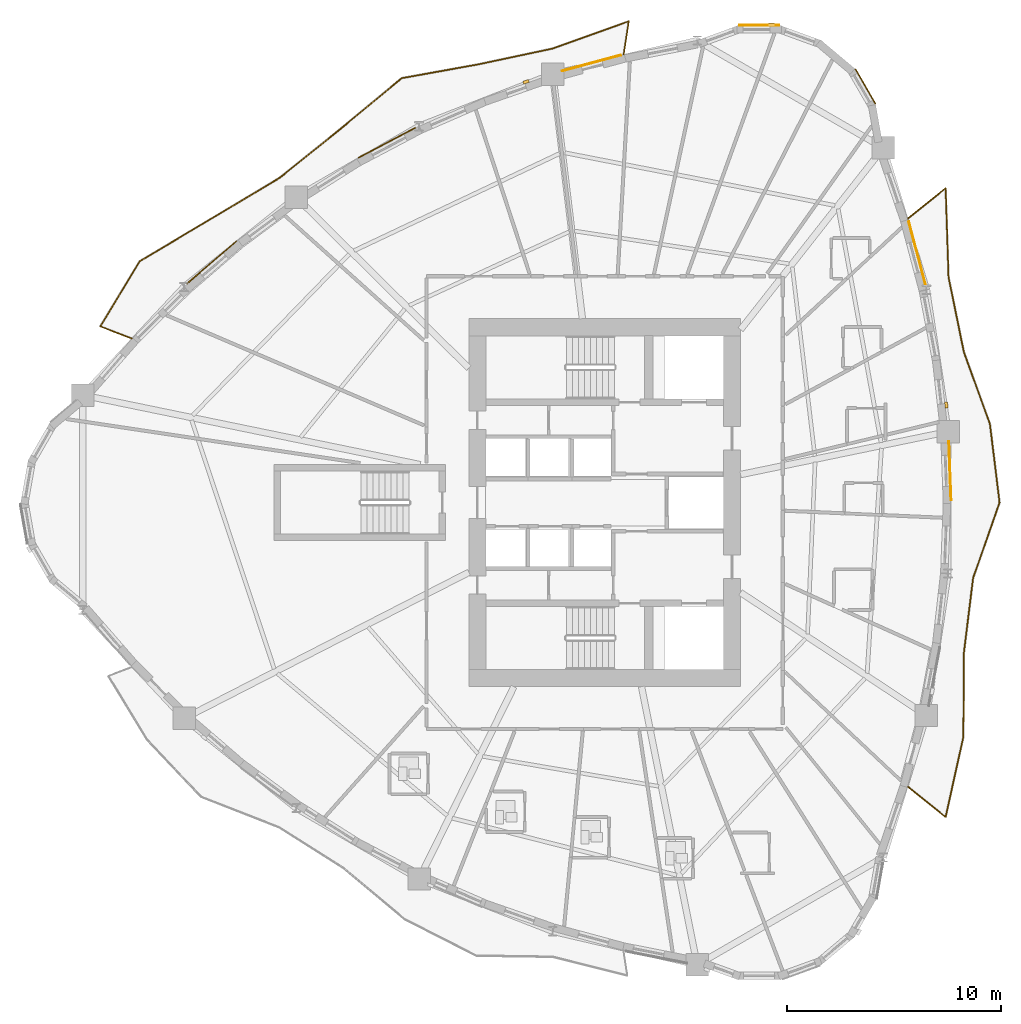
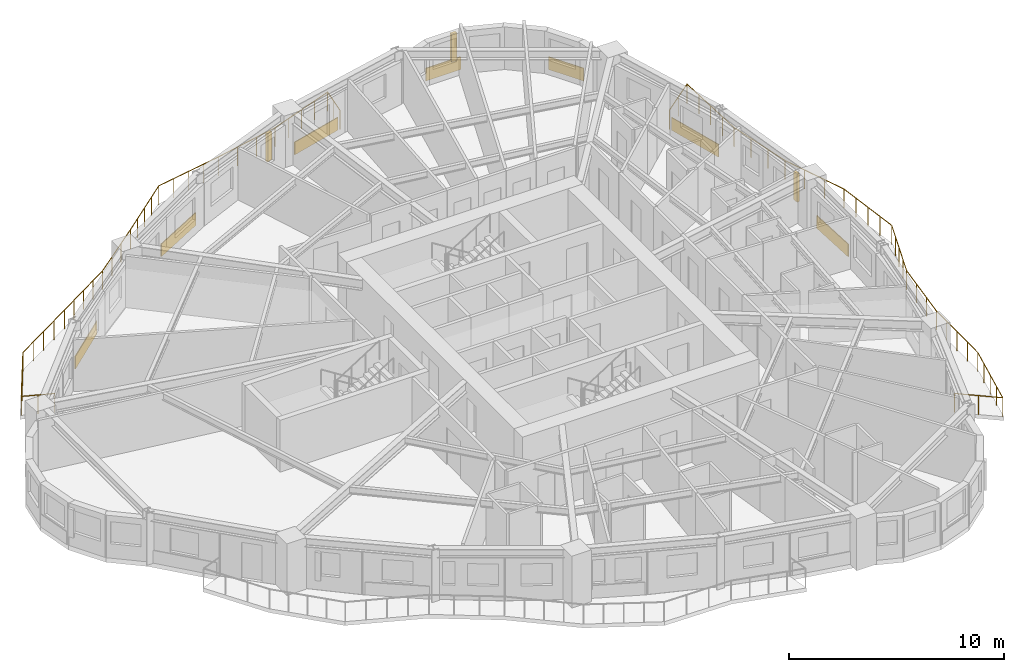
# One storey, part 13 of 14: 7 coverings, 3 shading devices, 2 railings.
"""IFC4 building model written with IfcOpenShell, lengths in metres."""

from ifc_helpers import new_model, si_unit, direction, frame, origin, origin_2d, place, context, subcontext, project, spatial, rectangle, circle, extrude, source, transform, mapped, material, layer, layer_set, type_object, element, save


model = new_model("IFC4")

# Units and contexts
model_context = context("Model", 3, precision=1e-05, world=origin(), true_north=direction((0.0, 1.0)))
body_context = subcontext(model_context, "Body", "Model", "MODEL_VIEW")
ifc_project = project(units=[si_unit("LENGTHUNIT", "METRE"), si_unit("AREAUNIT", "SQUARE_METRE"), si_unit("VOLUMEUNIT", "CUBIC_METRE"), si_unit("PLANEANGLEUNIT", "RADIAN"), si_unit("MASSUNIT", "GRAM", prefix="KILO")], contexts=[model_context])

# Site, building, storey
site_placement = place(None, origin())
site = spatial("IfcSite", under=ifc_project, at=site_placement, CompositionType="ELEMENT")
building_placement = place(site_placement, origin())
building = spatial("IfcBuilding", under=site, at=building_placement, Name="Qafzar Sky-Pleat Residences", CompositionType="ELEMENT")
storey_placement = place(building_placement, frame((0.0, 0.0, 17.39990234375)))
storey = spatial("IfcBuildingStorey", under=building, at=storey_placement, Name="L04", CompositionType="ELEMENT", Elevation=17.39990234375)

# Shading devices
ifc_material_1 = material(Name="Honed Riyadh limestone solar fin", Category="masonry")
ifc_layer_1 = layer(ifc_material_1, 0.139892578125)
ifc_layer_set_1 = layer_set([ifc_layer_1], Name="Honed Riyadh limestone solar fin")
shading_device_type = type_object("IfcShadingDeviceType", Name="SHD-FIN-STONE", PredefinedType="SHUTTER", material=ifc_layer_set_1)
shared_shape_1 = source(origin(), body_context, "Body", "SweptSolid", [
    extrude(rectangle(XDim=0.139892578125, YDim=0.280029296875, at=origin_2d()), origin(), (0.0, 0.0, 1.0), 1.60009765625),
])
for number, where, z_axis, x_axis, name in (
    (1, (46.320556640625, 30.5576171875, 0.60009765625), (0.0, 0.0, 1.0), (0.993565467025, 0.11325927218, 0.0), "L04 Limestone Solar Fin 29"),
    (2, (38.154541015625, 48.35693359375, 0.60009765625), (0.0, 0.0, 1.0), (0.0, 1.0, 0.0), "L04 Limestone Solar Fin 37"),
    (3, (26.67529296875, 45.6669921875, 0.60009765625), (0.0, 0.0, 1.0), (-0.329573011027, 0.944130091885, 0.0), "L04 Limestone Solar Fin 41"),
):
    element("IfcShadingDevice", number, at=place(storey_placement, frame(where, z_axis=z_axis, x_axis=x_axis)), inside=storey, type_object=shading_device_type, Name=name, PredefinedType="SHUTTER", context=body_context, shape_type="MappedRepresentation", body=[
        mapped(shared_shape_1, transform((0.0, 0.0, 0.0), x_axis=(1.0, 0.0, 0.0), y_axis=(0.0, 1.0, 0.0), z_axis=(0.0, 0.0, 1.0), scale=1.0)),
    ])

# Covering
ifc_material_2 = material(Name="Honed Riyadh Tuwaiq limestone cladding", Category="masonry")
ifc_layer_2 = layer(ifc_material_2, 0.044921875)
ifc_layer_set_2 = layer_set([ifc_layer_2], Name="Honed Riyadh Tuwaiq limestone cladding")
covering_type = type_object("IfcCoveringType", Name="COV-CLAD-STONE", PredefinedType="CLADDING", material=ifc_layer_set_2)
shared_shape_2 = source(origin(), body_context, "Body", "SweptSolid", [
    extrude(rectangle(XDim=1.88134765625, YDim=0.044921875, at=origin_2d()), origin(), (0.0, 0.0, 1.0), 0.719970703125),
])
covering_1_placement = place(storey_placement, frame((37.572509765625, 48.31396484375, 0.02001953125), z_axis=(0.0, 0.0, 1.0), x_axis=(-1.0, 0.0, 0.0)))
element("IfcCovering", 4, at=covering_1_placement, inside=storey, type_object=covering_type, Name="L04 Riyadh Limestone Spandrel Cladding 37", PredefinedType="CLADDING", context=body_context, shape_type="MappedRepresentation", body=[
    mapped(shared_shape_2, transform((0.0, 0.0, 0.0), x_axis=(1.0, 0.0, 0.0), y_axis=(0.0, 1.0, 0.0), z_axis=(0.0, 0.0, 1.0), scale=1.0)),
])

# Railings
ifc_material_3 = material(Name="Laminated glass and bronze steel balustrade", Category="steel")
railing_type = type_object("IfcRailingType", Name="RAIL-BAL-1100", PredefinedType="BALUSTRADE", material=ifc_material_3)
shared_shape_3 = source(origin(), body_context, "Body", "SweptSolid", [
    extrude(circle(Radius=0.02392578125, at=origin_2d()), frame((0.0, 0.0, 1.076171875), z_axis=(0.779503309926, -0.626398108087, 0.0), x_axis=(0.626398108087, 0.779503309926, 0.0)), (0.0, 0.0, 1.0), 2.270751953125),
    extrude(circle(Radius=0.02392578125, at=origin_2d()), frame((1.77001953125, -1.42236328125, 1.076171875), z_axis=(0.215647202611, 0.976471343157, 0.0), x_axis=(-0.976471343157, 0.215647202611, 0.0)), (0.0, 0.0, 1.0), 3.84814453125),
    extrude(circle(Radius=0.02392578125, at=origin_2d()), frame((2.599853515625, 2.335205078125, 1.076171875), z_axis=(0.00501686901, 0.999987415433, 0.0), x_axis=(-0.999987415433, 0.00501686901, 0.0)), (0.0, 0.0, 1.0), 3.89306640625),
    extrude(circle(Radius=0.02392578125, at=origin_2d()), frame((2.619384765625, 6.228271484375, 1.076171875), z_axis=(0.122049714152, 0.992523988262, 0.0), x_axis=(-0.992523988262, 0.122049714152, 0.0)), (0.0, 0.0, 1.0), 3.54248046875),
    extrude(circle(Radius=0.02392578125, at=origin_2d()), frame((3.0517578125, 9.744384765625, 1.076171875), z_axis=(0.331080571174, 0.943602488016, 0.0), x_axis=(-0.943602488016, 0.331080571174, 0.0)), (0.0, 0.0, 1.0), 3.73779296875),
    extrude(circle(Radius=0.02392578125, at=origin_2d()), frame((4.289306640625, 13.271484375, 1.076171875), z_axis=(-0.1217828649, 0.992556766042, 0.0), x_axis=(-0.992556766042, -0.1217828649, 0.0)), (0.0, 0.0, 1.0), 3.69677734375),
    extrude(circle(Radius=0.02392578125, at=origin_2d()), frame((3.839111328125, 16.940673828125, 1.076171875), z_axis=(-0.339972192563, 0.940435488635, 0.0), x_axis=(-0.940435488635, -0.339972192563, 0.0)), (0.0, 0.0, 1.0), 3.587646484375),
    extrude(circle(Radius=0.02392578125, at=origin_2d()), frame((2.619384765625, 20.314697265625, 1.076171875), z_axis=(-0.200154405112, 0.979764366628, 0.0), x_axis=(-0.979764366628, -0.200154405112, 0.0)), (0.0, 0.0, 1.0), 3.56787109375),
    extrude(circle(Radius=0.02392578125, at=origin_2d()), frame((1.9052734375, 23.810302734375, 1.076171875), z_axis=(-0.032534621155, 0.999470609086, 0.0), x_axis=(-0.999470609086, -0.032534621155, 0.0)), (0.0, 0.0, 1.0), 4.1572265625),
    extrude(circle(Radius=0.02392578125, at=origin_2d()), frame((1.77001953125, 27.96533203125, 1.076171875), z_axis=(-0.779503309926, -0.626398108087, 0.0), x_axis=(0.626398108087, -0.779503309926, 0.0)), (0.0, 0.0, 1.0), 2.270751953125),
    extrude(circle(Radius=0.02099609375, at=origin_2d()), origin(), (0.0, 0.0, 1.0), 1.052001953125),
    extrude(circle(Radius=0.02099609375, at=origin_2d()), frame((0.885009765625, -0.711181640625, 0.0)), (0.0, 0.0, 1.0), 1.052001953125),
    extrude(circle(Radius=0.02099609375, at=origin_2d()), frame((1.77001953125, -1.42236328125, 0.0)), (0.0, 0.0, 1.0), 1.052001953125),
    extrude(circle(Radius=0.02099609375, at=origin_2d()), frame((1.9775390625, -0.48291015625, 0.0)), (0.0, 0.0, 1.0), 1.052001953125),
    extrude(circle(Radius=0.02099609375, at=origin_2d()), frame((2.18505859375, 0.45654296875, 0.0)), (0.0, 0.0, 1.0), 1.052001953125),
    extrude(circle(Radius=0.02099609375, at=origin_2d()), frame((2.392333984375, 1.395751953125, 0.0)), (0.0, 0.0, 1.0), 1.052001953125),
    extrude(circle(Radius=0.02099609375, at=origin_2d()), frame((2.599853515625, 2.335205078125, 0.0)), (0.0, 0.0, 1.0), 1.052001953125),
    extrude(circle(Radius=0.02099609375, at=origin_2d()), frame((2.604736328125, 3.30859375, 0.0)), (0.0, 0.0, 1.0), 1.052001953125),
    extrude(circle(Radius=0.02099609375, at=origin_2d()), frame((2.609619140625, 4.28173828125, 0.0)), (0.0, 0.0, 1.0), 1.052001953125),
    extrude(circle(Radius=0.02099609375, at=origin_2d()), frame((2.614501953125, 5.2548828125, 0.0)), (0.0, 0.0, 1.0), 1.052001953125),
    extrude(circle(Radius=0.02099609375, at=origin_2d()), frame((2.619384765625, 6.228271484375, 0.0)), (0.0, 0.0, 1.0), 1.052001953125),
    extrude(circle(Radius=0.02099609375, at=origin_2d()), frame((2.763427734375, 7.400390625, 0.0)), (0.0, 0.0, 1.0), 1.052001953125),
    extrude(circle(Radius=0.02099609375, at=origin_2d()), frame((2.90771484375, 8.572265625, 0.0)), (0.0, 0.0, 1.0), 1.052001953125),
    extrude(circle(Radius=0.02099609375, at=origin_2d()), frame((3.0517578125, 9.744384765625, 0.0)), (0.0, 0.0, 1.0), 1.052001953125),
    extrude(circle(Radius=0.02099609375, at=origin_2d()), frame((3.361083984375, 10.626220703125, 0.0)), (0.0, 0.0, 1.0), 1.052001953125),
    extrude(circle(Radius=0.02099609375, at=origin_2d()), frame((3.67041015625, 11.5078125, 0.0)), (0.0, 0.0, 1.0), 1.052001953125),
    extrude(circle(Radius=0.02099609375, at=origin_2d()), frame((3.97998046875, 12.3896484375, 0.0)), (0.0, 0.0, 1.0), 1.052001953125),
    extrude(circle(Radius=0.02099609375, at=origin_2d()), frame((4.289306640625, 13.271484375, 0.0)), (0.0, 0.0, 1.0), 1.052001953125),
    extrude(circle(Radius=0.02099609375, at=origin_2d()), frame((4.1767578125, 14.188720703125, 0.0)), (0.0, 0.0, 1.0), 1.052001953125),
    extrude(circle(Radius=0.02099609375, at=origin_2d()), frame((4.064208984375, 15.10595703125, 0.0)), (0.0, 0.0, 1.0), 1.052001953125),
    extrude(circle(Radius=0.02099609375, at=origin_2d()), frame((3.95166015625, 16.0234375, 0.0)), (0.0, 0.0, 1.0), 1.052001953125),
    extrude(circle(Radius=0.02099609375, at=origin_2d()), frame((3.839111328125, 16.940673828125, 0.0)), (0.0, 0.0, 1.0), 1.052001953125),
    extrude(circle(Radius=0.02099609375, at=origin_2d()), frame((3.4326171875, 18.0654296875, 0.0)), (0.0, 0.0, 1.0), 1.052001953125),
    extrude(circle(Radius=0.02099609375, at=origin_2d()), frame((3.02587890625, 19.18994140625, 0.0)), (0.0, 0.0, 1.0), 1.052001953125),
    extrude(circle(Radius=0.02099609375, at=origin_2d()), frame((2.619384765625, 20.314697265625, 0.0)), (0.0, 0.0, 1.0), 1.052001953125),
    extrude(circle(Radius=0.02099609375, at=origin_2d()), frame((2.38134765625, 21.47998046875, 0.0)), (0.0, 0.0, 1.0), 1.052001953125),
    extrude(circle(Radius=0.02099609375, at=origin_2d()), frame((2.143310546875, 22.64501953125, 0.0)), (0.0, 0.0, 1.0), 1.052001953125),
    extrude(circle(Radius=0.02099609375, at=origin_2d()), frame((1.9052734375, 23.810302734375, 0.0)), (0.0, 0.0, 1.0), 1.052001953125),
    extrude(circle(Radius=0.02099609375, at=origin_2d()), frame((1.87158203125, 24.84912109375, 0.0)), (0.0, 0.0, 1.0), 1.052001953125),
    extrude(circle(Radius=0.02099609375, at=origin_2d()), frame((1.837646484375, 25.8876953125, 0.0)), (0.0, 0.0, 1.0), 1.052001953125),
    extrude(circle(Radius=0.02099609375, at=origin_2d()), frame((1.8037109375, 26.926513671875, 0.0)), (0.0, 0.0, 1.0), 1.052001953125),
    extrude(circle(Radius=0.02099609375, at=origin_2d()), frame((1.77001953125, 27.96533203125, 0.0)), (0.0, 0.0, 1.0), 1.052001953125),
    extrude(circle(Radius=0.02099609375, at=origin_2d()), frame((0.885009765625, 27.254150390625, 0.0)), (0.0, 0.0, 1.0), 1.052001953125),
    extrude(circle(Radius=0.02099609375, at=origin_2d()), frame((0.0, 26.54296875, 0.0)), (0.0, 0.0, 1.0), 1.052001953125),
])
railing_1_placement = place(storey_placement, frame((44.51611328125, 12.728515625, 0.0)))
element("IfcRailing", 5, at=railing_1_placement, inside=storey, type_object=railing_type, Name="L04 Pleated Balcony 1 Balustrade", PredefinedType="BALUSTRADE", context=body_context, shape_type="MappedRepresentation", body=[
    mapped(shared_shape_3, transform((0.0, 0.0, 0.0), x_axis=(1.0, 0.0, 0.0), y_axis=(0.0, 1.0, 0.0), z_axis=(0.0, 0.0, 1.0), scale=1.0)),
])
shared_shape_4 = source(origin(), body_context, "Body", "SweptSolid", [
    extrude(circle(Radius=0.02392578125, at=origin_2d()), frame((0.0, 0.0, 1.076171875), z_axis=(0.152719901367, 0.988269513709, 0.0), x_axis=(-0.988269513709, 0.152719901367, 0.0)), (0.0, 0.0, 1.0), 1.577880859375),
    extrude(circle(Radius=0.02392578125, at=origin_2d()), frame((0.240966796875, 1.559326171875, 1.076171875), z_axis=(-0.941418698415, -0.337240024722, 0.0), x_axis=(0.337240024722, -0.941418698415, 0.0)), (0.0, 0.0, 1.0), 3.78173828125),
    extrude(circle(Radius=0.02392578125, at=origin_2d()), frame((-3.3193359375, 0.283935546875, 1.076171875), z_axis=(-0.978059775103, -0.208324449658, 0.0), x_axis=(0.208324449658, -0.978059775103, 0.0)), (0.0, 0.0, 1.0), 3.52978515625),
    extrude(circle(Radius=0.02392578125, at=origin_2d()), frame((-6.771728515625, -0.451416015625, 1.076171875), z_axis=(-0.984145359814, -0.177363780847, 0.0), x_axis=(0.177363780847, -0.984145359814, 0.0)), (0.0, 0.0, 1.0), 3.657470703125),
    extrude(circle(Radius=0.02392578125, at=origin_2d()), frame((-10.37109375, -1.10009765625, 1.076171875), z_axis=(-0.769927607377, -0.638131239949, 0.0), x_axis=(0.638131239949, -0.769927607377, 0.0)), (0.0, 0.0, 1.0), 3.793701171875),
    extrude(circle(Radius=0.02392578125, at=origin_2d()), frame((-13.2919921875, -3.52099609375, 1.076171875), z_axis=(-0.779532197109, -0.626362158555, 0.0), x_axis=(0.626362158555, -0.779532197109, 0.0)), (0.0, 0.0, 1.0), 3.56884765625),
    extrude(circle(Radius=0.02392578125, at=origin_2d()), frame((-16.073974609375, -5.75634765625, 1.076171875), z_axis=(-0.858128845967, -0.5134344006, 0.0), x_axis=(0.5134344006, -0.858128845967, 0.0)), (0.0, 0.0, 1.0), 3.65478515625),
    extrude(circle(Radius=0.02392578125, at=origin_2d()), frame((-19.210205078125, -7.6328125, 1.076171875), z_axis=(-0.859940284901, -0.510394657499, 0.0), x_axis=(0.510394657499, -0.859940284901, 0.0)), (0.0, 0.0, 1.0), 3.953857421875),
    extrude(circle(Radius=0.02392578125, at=origin_2d()), frame((-22.6103515625, -9.65087890625, 1.076171875), z_axis=(-0.518236465089, -0.855237374214, 0.0), x_axis=(0.855237374214, -0.518236465089, 0.0)), (0.0, 0.0, 1.0), 3.565673828125),
    extrude(circle(Radius=0.02392578125, at=origin_2d()), frame((-24.458251953125, -12.700439453125, 1.076171875), z_axis=(0.932236741176, -0.361848944177, 0.0), x_axis=(0.361848944177, 0.932236741176, 0.0)), (0.0, 0.0, 1.0), 1.578125),
    extrude(circle(Radius=0.02099609375, at=origin_2d()), origin(), (0.0, 0.0, 1.0), 1.052001953125),
    extrude(circle(Radius=0.02099609375, at=origin_2d()), frame((0.12060546875, 0.77978515625, 0.0)), (0.0, 0.0, 1.0), 1.052001953125),
    extrude(circle(Radius=0.02099609375, at=origin_2d()), frame((0.240966796875, 1.559326171875, 0.0)), (0.0, 0.0, 1.0), 1.052001953125),
    extrude(circle(Radius=0.02099609375, at=origin_2d()), frame((-0.649169921875, 1.240478515625, 0.0)), (0.0, 0.0, 1.0), 1.052001953125),
    extrude(circle(Radius=0.02099609375, at=origin_2d()), frame((-1.5390625, 0.921630859375, 0.0)), (0.0, 0.0, 1.0), 1.052001953125),
    extrude(circle(Radius=0.02099609375, at=origin_2d()), frame((-2.42919921875, 0.602783203125, 0.0)), (0.0, 0.0, 1.0), 1.052001953125),
    extrude(circle(Radius=0.02099609375, at=origin_2d()), frame((-3.3193359375, 0.283935546875, 0.0)), (0.0, 0.0, 1.0), 1.052001953125),
    extrude(circle(Radius=0.02099609375, at=origin_2d()), frame((-4.47021484375, 0.038818359375, 0.0)), (0.0, 0.0, 1.0), 1.052001953125),
    extrude(circle(Radius=0.02099609375, at=origin_2d()), frame((-5.620849609375, -0.206298828125, 0.0)), (0.0, 0.0, 1.0), 1.052001953125),
    extrude(circle(Radius=0.02099609375, at=origin_2d()), frame((-6.771728515625, -0.451416015625, 0.0)), (0.0, 0.0, 1.0), 1.052001953125),
    extrude(circle(Radius=0.02099609375, at=origin_2d()), frame((-7.671630859375, -0.613525390625, 0.0)), (0.0, 0.0, 1.0), 1.052001953125),
    extrude(circle(Radius=0.02099609375, at=origin_2d()), frame((-8.5712890625, -0.77587890625, 0.0)), (0.0, 0.0, 1.0), 1.052001953125),
    extrude(circle(Radius=0.02099609375, at=origin_2d()), frame((-9.47119140625, -0.93798828125, 0.0)), (0.0, 0.0, 1.0), 1.052001953125),
    extrude(circle(Radius=0.02099609375, at=origin_2d()), frame((-10.37109375, -1.10009765625, 0.0)), (0.0, 0.0, 1.0), 1.052001953125),
    extrude(circle(Radius=0.02099609375, at=origin_2d()), frame((-11.101318359375, -1.705322265625, 0.0)), (0.0, 0.0, 1.0), 1.052001953125),
    extrude(circle(Radius=0.02099609375, at=origin_2d()), frame((-11.83154296875, -2.310546875, 0.0)), (0.0, 0.0, 1.0), 1.052001953125),
    extrude(circle(Radius=0.02099609375, at=origin_2d()), frame((-12.561767578125, -2.915771484375, 0.0)), (0.0, 0.0, 1.0), 1.052001953125),
    extrude(circle(Radius=0.02099609375, at=origin_2d()), frame((-13.2919921875, -3.52099609375, 0.0)), (0.0, 0.0, 1.0), 1.052001953125),
    extrude(circle(Radius=0.02099609375, at=origin_2d()), frame((-14.21923828125, -4.26611328125, 0.0)), (0.0, 0.0, 1.0), 1.052001953125),
    extrude(circle(Radius=0.02099609375, at=origin_2d()), frame((-15.146728515625, -5.01123046875, 0.0)), (0.0, 0.0, 1.0), 1.052001953125),
    extrude(circle(Radius=0.02099609375, at=origin_2d()), frame((-16.073974609375, -5.75634765625, 0.0)), (0.0, 0.0, 1.0), 1.052001953125),
    extrude(circle(Radius=0.02099609375, at=origin_2d()), frame((-16.85791015625, -6.2255859375, 0.0)), (0.0, 0.0, 1.0), 1.052001953125),
    extrude(circle(Radius=0.02099609375, at=origin_2d()), frame((-17.64208984375, -6.694580078125, 0.0)), (0.0, 0.0, 1.0), 1.052001953125),
    extrude(circle(Radius=0.02099609375, at=origin_2d()), frame((-18.42626953125, -7.16357421875, 0.0)), (0.0, 0.0, 1.0), 1.052001953125),
    extrude(circle(Radius=0.02099609375, at=origin_2d()), frame((-19.210205078125, -7.6328125, 0.0)), (0.0, 0.0, 1.0), 1.052001953125),
    extrude(circle(Radius=0.02099609375, at=origin_2d()), frame((-20.060302734375, -8.13720703125, 0.0)), (0.0, 0.0, 1.0), 1.052001953125),
    extrude(circle(Radius=0.02099609375, at=origin_2d()), frame((-20.91015625, -8.641845703125, 0.0)), (0.0, 0.0, 1.0), 1.052001953125),
    extrude(circle(Radius=0.02099609375, at=origin_2d()), frame((-21.76025390625, -9.146484375, 0.0)), (0.0, 0.0, 1.0), 1.052001953125),
    extrude(circle(Radius=0.02099609375, at=origin_2d()), frame((-22.6103515625, -9.65087890625, 0.0)), (0.0, 0.0, 1.0), 1.052001953125),
    extrude(circle(Radius=0.02099609375, at=origin_2d()), frame((-23.226318359375, -10.66748046875, 0.0)), (0.0, 0.0, 1.0), 1.052001953125),
    extrude(circle(Radius=0.02099609375, at=origin_2d()), frame((-23.84228515625, -11.683837890625, 0.0)), (0.0, 0.0, 1.0), 1.052001953125),
    extrude(circle(Radius=0.02099609375, at=origin_2d()), frame((-24.458251953125, -12.700439453125, 0.0)), (0.0, 0.0, 1.0), 1.052001953125),
    extrude(circle(Radius=0.02099609375, at=origin_2d()), frame((-23.72265625, -12.98583984375, 0.0)), (0.0, 0.0, 1.0), 1.052001953125),
    extrude(circle(Radius=0.02099609375, at=origin_2d()), frame((-22.987060546875, -13.271484375, 0.0)), (0.0, 0.0, 1.0), 1.052001953125),
])
railing_2_placement = place(storey_placement, frame((31.235595703125, 46.93896484375, 0.0)))
element("IfcRailing", 6, at=railing_2_placement, inside=storey, type_object=railing_type, Name="L04 Pleated Balcony 2 Balustrade", PredefinedType="BALUSTRADE", context=body_context, shape_type="MappedRepresentation", body=[
    mapped(shared_shape_4, transform((0.0, 0.0, 0.0), x_axis=(1.0, 0.0, 0.0), y_axis=(0.0, 1.0, 0.0), z_axis=(0.0, 0.0, 1.0), scale=1.0)),
])

# Coverings
shared_shape_5 = source(origin(), body_context, "Body", "SweptSolid", [
    extrude(rectangle(XDim=1.881103515625, YDim=0.044921875, at=origin_2d()), origin(), (0.0, 0.0, 1.0), 0.719970703125),
])
covering_2_placement = place(storey_placement, frame((42.5380859375, 45.447021484375, 0.02001953125), z_axis=(0.0, 0.0, 1.0), x_axis=(-0.499993018474, 0.866029434533, 0.0)))
element("IfcCovering", 7, at=covering_2_placement, inside=storey, type_object=covering_type, Name="L04 Riyadh Limestone Spandrel Cladding 34", PredefinedType="CLADDING", context=body_context, shape_type="MappedRepresentation", body=[
    mapped(shared_shape_5, transform((0.0, 0.0, 0.0), x_axis=(1.0, 0.0, 0.0), y_axis=(0.0, 1.0, 0.0), z_axis=(0.0, 0.0, 1.0), scale=1.0)),
])
shared_shape_6 = source(origin(), body_context, "Body", "SweptSolid", [
    extrude(rectangle(XDim=2.750732421875, YDim=0.044921875, at=origin_2d()), origin(), (0.0, 0.0, 1.0), 0.719970703125),
])
covering_3_placement = place(storey_placement, frame((46.488037109375, 27.489990234375, 0.02001953125), z_axis=(0.0, 0.0, 1.0), x_axis=(-0.037985792756, 0.999278279334, 0.0)))
element("IfcCovering", 8, at=covering_3_placement, inside=storey, type_object=covering_type, Name="L04 Riyadh Limestone Spandrel Cladding 28", PredefinedType="CLADDING", context=body_context, shape_type="MappedRepresentation", body=[
    mapped(shared_shape_6, transform((0.0, 0.0, 0.0), x_axis=(1.0, 0.0, 0.0), y_axis=(0.0, 1.0, 0.0), z_axis=(0.0, 0.0, 1.0), scale=1.0)),
])
shared_shape_7 = source(origin(), body_context, "Body", "SweptSolid", [
    extrude(rectangle(XDim=3.1044921875, YDim=0.044921875, at=origin_2d()), origin(), (0.0, 0.0, 1.0), 0.719970703125),
])
covering_4_placement = place(storey_placement, frame((44.96142578125, 37.6396484375, 0.02001953125), z_axis=(0.0, 0.0, 1.0), x_axis=(-0.257038257932, 0.966401228248, 0.0)))
element("IfcCovering", 9, at=covering_4_placement, inside=storey, type_object=covering_type, Name="L04 Riyadh Limestone Spandrel Cladding 31", PredefinedType="CLADDING", context=body_context, shape_type="MappedRepresentation", body=[
    mapped(shared_shape_7, transform((0.0, 0.0, 0.0), x_axis=(1.0, 0.0, 0.0), y_axis=(0.0, 1.0, 0.0), z_axis=(0.0, 0.0, 1.0), scale=1.0)),
])
shared_shape_8 = source(origin(), body_context, "Body", "SweptSolid", [
    extrude(rectangle(XDim=2.852294921875, YDim=0.044921875, at=origin_2d()), origin(), (0.0, 0.0, 1.0), 0.719970703125),
])
covering_5_placement = place(storey_placement, frame((29.734619140625, 46.54541015625, 0.02001953125), z_axis=(0.0, 0.0, 1.0), x_axis=(-0.965458693239, -0.260556158339, 0.0)))
element("IfcCovering", 10, at=covering_5_placement, inside=storey, type_object=covering_type, Name="L04 Riyadh Limestone Spandrel Cladding 40", PredefinedType="CLADDING", context=body_context, shape_type="MappedRepresentation", body=[
    mapped(shared_shape_8, transform((0.0, 0.0, 0.0), x_axis=(1.0, 0.0, 0.0), y_axis=(0.0, 1.0, 0.0), z_axis=(0.0, 0.0, 1.0), scale=1.0)),
])
shared_shape_9 = source(origin(), body_context, "Body", "SweptSolid", [
    extrude(rectangle(XDim=3.002685546875, YDim=0.044921875, at=origin_2d()), origin(), (0.0, 0.0, 1.0), 0.719970703125),
])
covering_6_placement = place(storey_placement, frame((20.170166015625, 42.821533203125, 0.02001953125), z_axis=(0.0, 0.0, 1.0), x_axis=(-0.88438647122, -0.46675536368, 0.0)))
element("IfcCovering", 11, at=covering_6_placement, inside=storey, type_object=covering_type, Name="L04 Riyadh Limestone Spandrel Cladding 43", PredefinedType="CLADDING", context=body_context, shape_type="MappedRepresentation", body=[
    mapped(shared_shape_9, transform((0.0, 0.0, 0.0), x_axis=(1.0, 0.0, 0.0), y_axis=(0.0, 1.0, 0.0), z_axis=(0.0, 0.0, 1.0), scale=1.0)),
])
shared_shape_10 = source(origin(), body_context, "Body", "SweptSolid", [
    extrude(rectangle(XDim=3.053955078125, YDim=0.044921875, at=origin_2d()), origin(), (0.0, 0.0, 1.0), 0.719970703125),
])
covering_7_placement = place(storey_placement, frame((11.976318359375, 37.222412109375, 0.02001953125), z_axis=(0.0, 0.0, 1.0), x_axis=(-0.757491872048, -0.652844593898, 0.0)))
element("IfcCovering", 12, at=covering_7_placement, inside=storey, type_object=covering_type, Name="L04 Riyadh Limestone Spandrel Cladding 46", PredefinedType="CLADDING", context=body_context, shape_type="MappedRepresentation", body=[
    mapped(shared_shape_10, transform((0.0, 0.0, 0.0), x_axis=(1.0, 0.0, 0.0), y_axis=(0.0, 1.0, 0.0), z_axis=(0.0, 0.0, 1.0), scale=1.0)),
])

save(model, "model.ifc")
